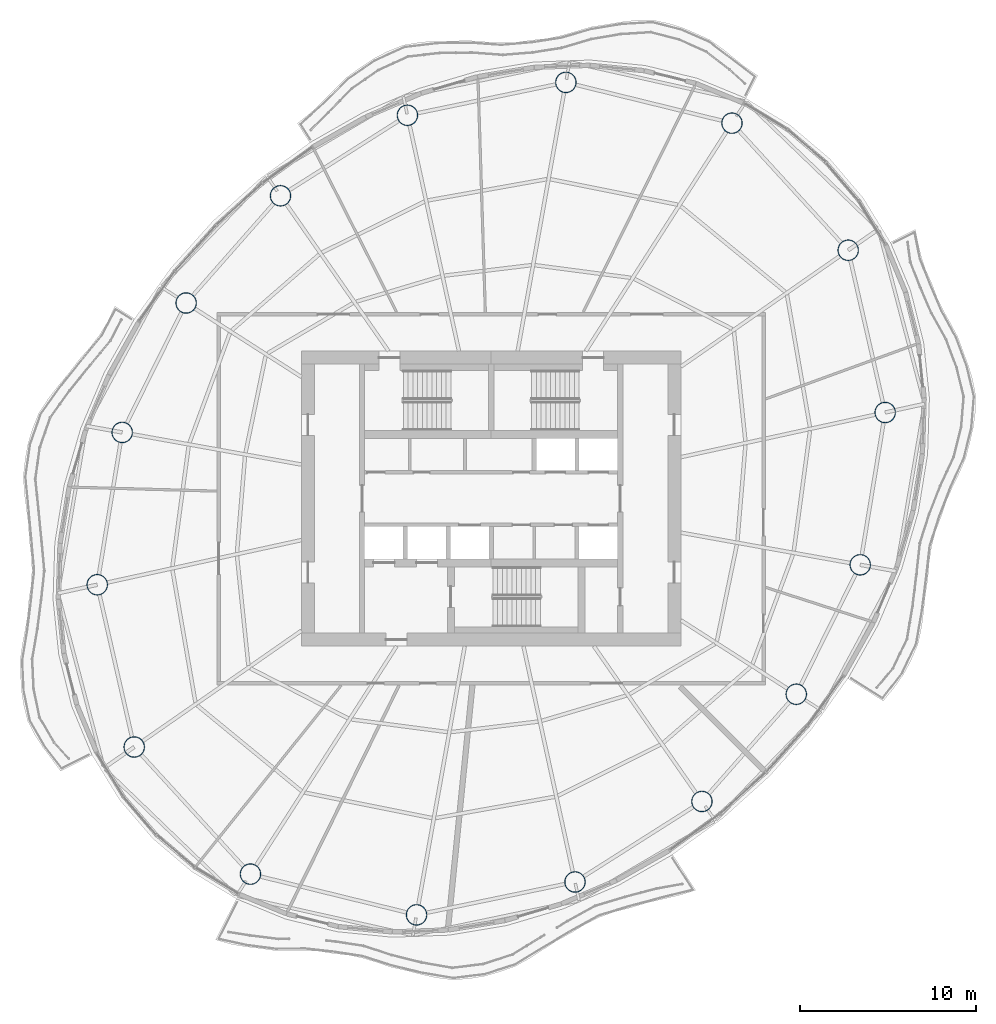
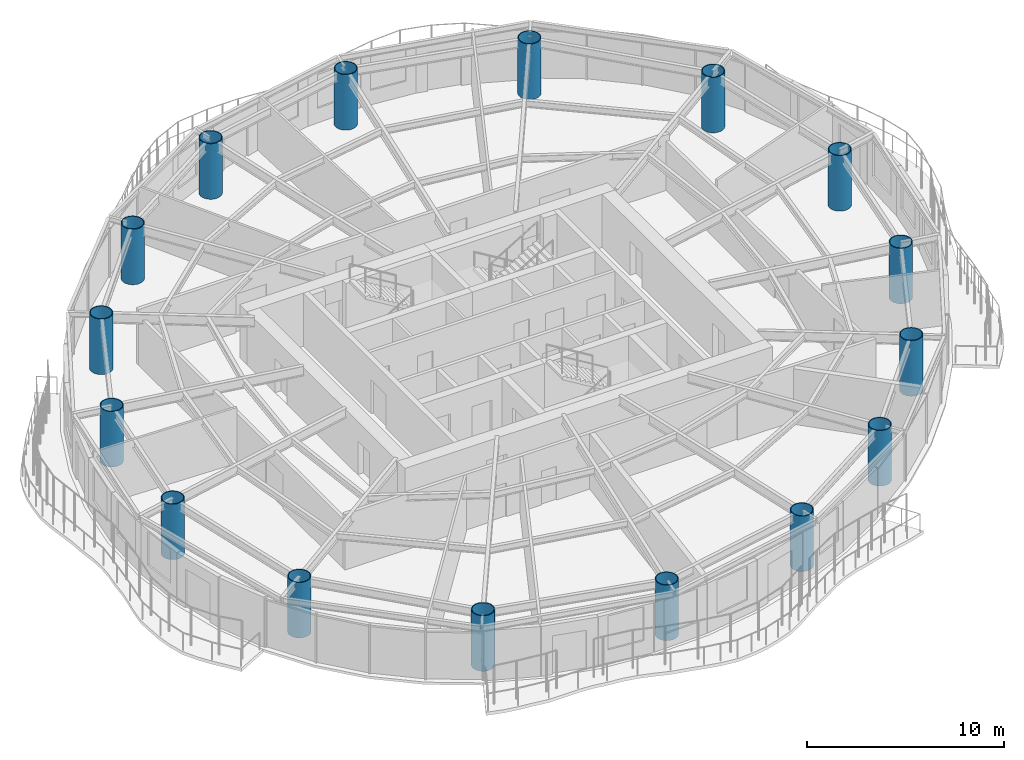
# One storey, part 1 of 14: 16 columns.
"""IFC4 building model written with IfcOpenShell, lengths in metres."""

from ifc_helpers import new_model, si_unit, direction, frame, origin, origin_2d, place, context, subcontext, project, spatial, hollow_circle, extrude, material, material_profile, profile_set, type_object, element, save


model = new_model("IFC4")

# Units and contexts
model_context = context("Model", 3, precision=1e-05, world=origin(), true_north=direction((0.0, 1.0)))
body_context = subcontext(model_context, "Body", "Model", "MODEL_VIEW")
ifc_project = project(units=[si_unit("LENGTHUNIT", "METRE"), si_unit("AREAUNIT", "SQUARE_METRE"), si_unit("VOLUMEUNIT", "CUBIC_METRE"), si_unit("PLANEANGLEUNIT", "RADIAN"), si_unit("MASSUNIT", "GRAM", prefix="KILO")], contexts=[model_context])

# Site, building, storey
site_placement = place(None, origin())
site = spatial("IfcSite", under=ifc_project, at=site_placement, CompositionType="ELEMENT")
building_placement = place(site_placement, origin())
building = spatial("IfcBuilding", under=site, at=building_placement, Name="Vermilion Reach Broadcast Tower", CompositionType="ELEMENT")
storey_placement = place(building_placement, frame((0.0, 0.0, 213.699951171875)))
storey = spatial("IfcBuildingStorey", under=building, at=storey_placement, Name="L52", CompositionType="ELEMENT", Elevation=213.699951171875)

# Columns
ifc_material = material(Name="Concrete C60 infill in steel S460NL tube", Category="concrete")
ifc_material_profile = material_profile(ifc_material, hollow_circle(Radius=0.60009765625, WallThickness=0.044921875, at=origin_2d()), Name="Concrete C60 infill in steel S460NL tube CFT 1200x45")
ifc_profile_set = profile_set([ifc_material_profile], Name="Concrete C60 infill in steel S460NL tube")
column_type = type_object("IfcColumnType", Name="MC4 CFT 1200x45", PredefinedType="COLUMN", material=ifc_profile_set)
for number, where, z_axis, x_axis, name in (
    (1, (7.70361328125, 21.3701171875, 0.0), (0.0, 0.0, 1.0), (1.0, 0.0, 0.0), "Mega-column MC4-01"),
    (2, (-1.75, 23.691162109375, 0.0), (0.0, 0.0, 1.0), (1.0, 0.0, 0.0), "Mega-column MC4-02"),
    (3, (-10.769287109375, 21.818603515625, 0.0), (0.0, 0.0, 1.0), (1.0, 0.0, 0.0), "Mega-column MC4-03"),
    (4, (-17.993408203125, 17.23681640625, 0.0), (0.0, 0.0, 1.0), (1.0, 0.0, 0.0), "Mega-column MC4-04"),
    (5, (-23.36279296875, 11.134033203125, 0.0), (0.0, 0.0, 1.0), (1.0, 0.0, 0.0), "Mega-column MC4-05"),
    (6, (-27.002685546875, 3.767578125, 0.0), (0.0, 0.0, 1.0), (1.0, 0.0, 0.0), "Mega-column MC4-06"),
    (7, (-28.423828125, -4.9013671875, 0.0), (0.0, 0.0, 1.0), (1.0, 0.0, 0.0), "Mega-column MC4-07"),
    (8, (-26.318115234375, -14.13720703125, 0.0), (0.0, 0.0, 1.0), (1.0, 0.0, 0.0), "Mega-column MC4-08"),
    (9, (-19.70361328125, -21.3701171875, 0.0), (0.0, 0.0, 1.0), (1.0, 0.0, 0.0), "Mega-column MC4-09"),
    (10, (-10.25, -23.691162109375, 0.0), (0.0, 0.0, 1.0), (1.0, 0.0, 0.0), "Mega-column MC4-10"),
    (11, (-1.230712890625, -21.818603515625, 0.0), (0.0, 0.0, 1.0), (1.0, 0.0, 0.0), "Mega-column MC4-11"),
    (12, (5.993408203125, -17.23681640625, 0.0), (0.0, 0.0, 1.0), (1.0, 0.0, 0.0), "Mega-column MC4-12"),
    (13, (11.36279296875, -11.134033203125, 0.0), (0.0, 0.0, 1.0), (1.0, 0.0, 0.0), "Mega-column MC4-13"),
    (14, (15.002685546875, -3.767578125, 0.0), (0.0, 0.0, 1.0), (1.0, 0.0, 0.0), "Mega-column MC4-14"),
    (15, (16.423828125, 4.9013671875, 0.0), (0.0, 0.0, 1.0), (1.0, 0.0, 0.0), "Mega-column MC4-15"),
    (16, (14.318115234375, 14.13720703125, 0.0), (0.0, 0.0, 1.0), (1.0, 0.0, 0.0), "Mega-column MC4-16"),
):
    element("IfcColumn", number, at=place(storey_placement, frame(where, z_axis=z_axis, x_axis=x_axis)), inside=storey, type_object=column_type, Name=name, PredefinedType="COLUMN", context=body_context, shape_type="SweptSolid", body=[
        extrude(hollow_circle(Radius=0.60009765625, WallThickness=0.044921875, at=origin_2d()), origin(), (0.0, 0.0, 1.0), 3.449951171875),
    ])

save(model, "model.ifc")
